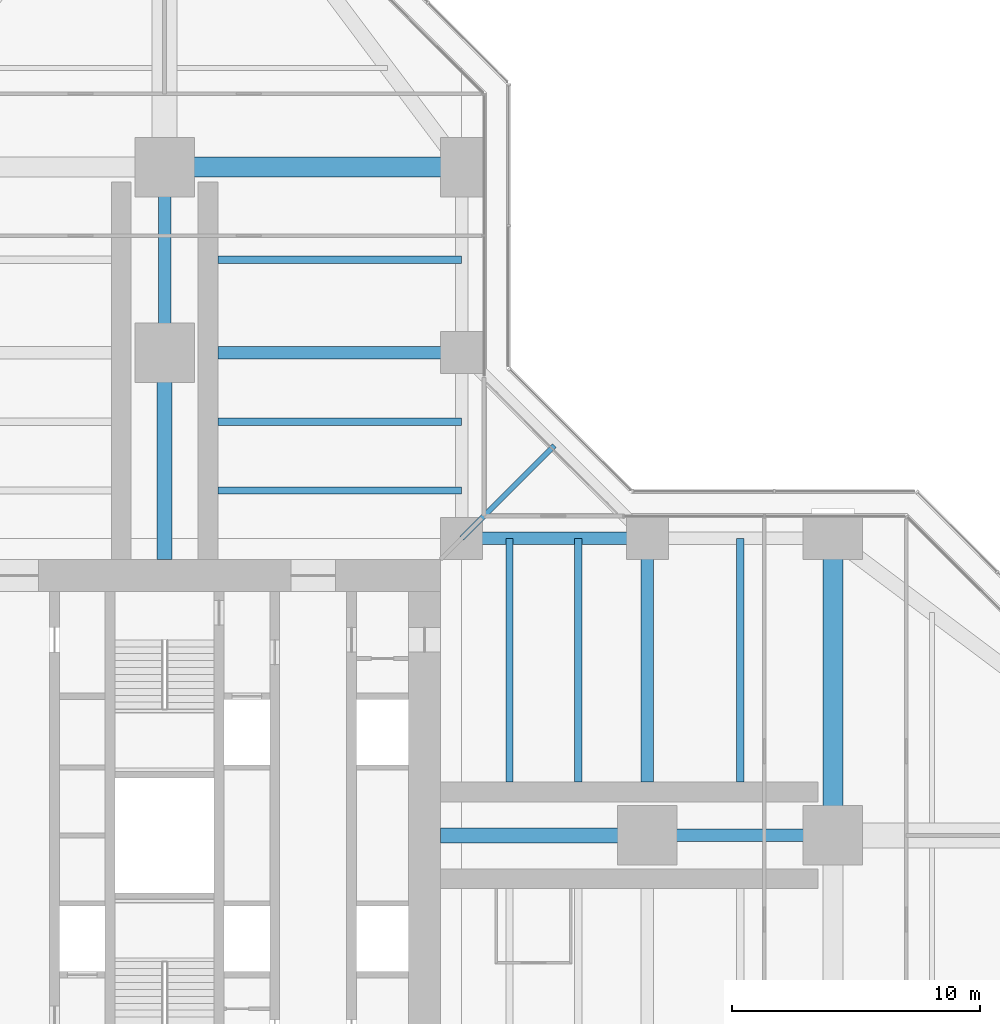
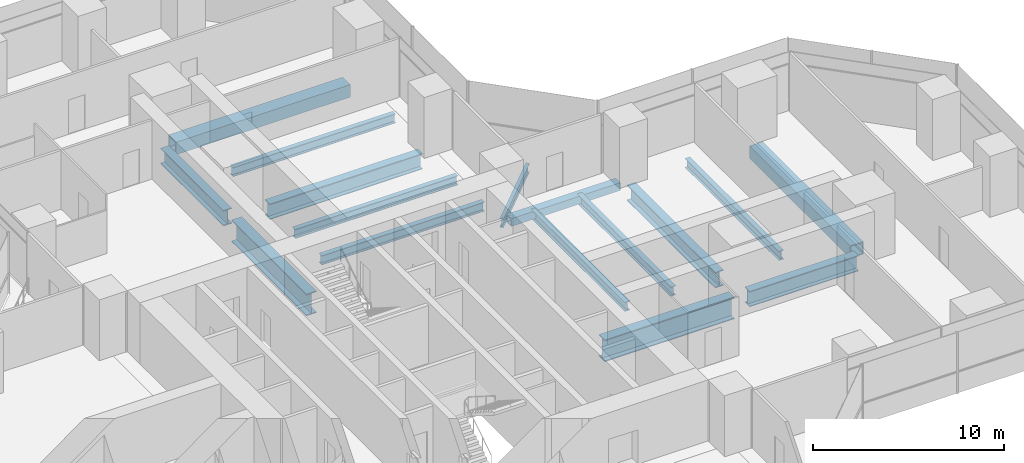
# One storey, part 10 of 22: 16 beams.
"""IFC4 building model written with IfcOpenShell, lengths in metres."""

from ifc_helpers import new_model, si_unit, direction, frame, origin, origin_2d, place, context, subcontext, project, spatial, hollow_rectangle, i_section, extrude, material, material_profile, profile_set, type_object, element, save


model = new_model("IFC4")

# Units and contexts
model_context = context("Model", 3, precision=1e-05, world=origin(), true_north=direction((0.0, 1.0)))
body_context = subcontext(model_context, "Body", "Model", "MODEL_VIEW")
ifc_project = project(units=[si_unit("LENGTHUNIT", "METRE"), si_unit("AREAUNIT", "SQUARE_METRE"), si_unit("VOLUMEUNIT", "CUBIC_METRE"), si_unit("PLANEANGLEUNIT", "RADIAN"), si_unit("MASSUNIT", "GRAM", prefix="KILO")], contexts=[model_context])

# Site, building, storey
site_placement = place(None, origin())
site = spatial("IfcSite", under=ifc_project, at=site_placement, CompositionType="ELEMENT")
building_placement = place(site_placement, origin())
building = spatial("IfcBuilding", under=site, at=building_placement, Name="Mizan Broadcast Tower", CompositionType="ELEMENT")
storey_placement = place(building_placement, frame((0.0, 0.0, 109.800048828125)))
storey = spatial("IfcBuildingStorey", under=building, at=storey_placement, Name="L24", CompositionType="ELEMENT", Elevation=109.800048828125)

# Beams
ifc_material_1 = material(Name="Steel S355", Category="steel")
ifc_material_profile_1 = material_profile(ifc_material_1, hollow_rectangle(XDim=0.5, YDim=0.5, WallThickness=0.030029296875, at=origin_2d()), Name="BOX 500x500x30")
ifc_profile_set_1 = profile_set([ifc_material_profile_1], Name="Steel S355")
beam_type_1 = type_object("IfcBeamType", Name="EDGE BEAM BOX 500x500x30", PredefinedType="SPANDREL", material=ifc_profile_set_1)
beam_1_placement = place(storey_placement, frame((12.449951171875, 12.0, -0.380126953125), z_axis=(1.0, 0.0, 0.0), x_axis=(0.0, 1.0, 0.0)))
element("IfcBeam", 1, at=beam_1_placement, inside=storey, type_object=beam_type_1, Name="Edge beam BOX 500x500x30 L24 east arm", PredefinedType="SPANDREL", context=body_context, shape_type="SweptSolid", body=[
    extrude(hollow_rectangle(XDim=0.5, YDim=0.5, WallThickness=0.030029296875, at=origin_2d()), origin(), (0.0, 0.0, 1.0), 6.60009765625),
])
ifc_material_2 = material(Name="Steel S460", Category="steel")
ifc_material_profile_2 = material_profile(ifc_material_2, hollow_rectangle(XDim=0.800048828125, YDim=0.800048828125, WallThickness=0.050048828125, at=origin_2d()), Name="BOX 800x800x50")
ifc_profile_set_2 = profile_set([ifc_material_profile_2], Name="Steel S460")
beam_type_2 = type_object("IfcBeamType", Name="GIRDER BOX 800x800x50", PredefinedType="BEAM", material=ifc_profile_set_2)
for number, where, z_axis, x_axis, name in (
    (2, (27.0, 11.280029296875, -0.530029296875), (0.0, -1.0, 0.0), (1.0, 0.0, 0.0), "Girder BOX 800x800x50 L24 east arm"),
    (3, (11.280029296875, 27.0, -0.530029296875), (-1.0, 0.0, 0.0), (0.0, -1.0, 0.0), "Girder BOX 800x800x50 L24 north arm"),
):
    element("IfcBeam", number, at=place(storey_placement, frame(where, z_axis=z_axis, x_axis=x_axis)), inside=storey, type_object=beam_type_2, Name=name, PredefinedType="BEAM", context=body_context, shape_type="SweptSolid", body=[
        extrude(hollow_rectangle(XDim=0.800048828125, YDim=0.800048828125, WallThickness=0.050048828125, at=origin_2d()), origin(), (0.0, 0.0, 1.0), 10.56005859375),
    ])
ifc_material_3 = material(Name="Steel S460", Category="steel")
ifc_material_profile_3 = material_profile(ifc_material_3, i_section(OverallWidth=0.5, OverallDepth=1.0, WebThickness=0.02490234375, FlangeThickness=0.050048828125, at=origin_2d()), Name="WPG 1000x500")
ifc_profile_set_3 = profile_set([ifc_material_profile_3], Name="Steel S460")
beam_type_3 = type_object("IfcBeamType", Name="GIRDER WPG 1000x500", PredefinedType="BEAM", material=ifc_profile_set_3)
beam_2_placement = place(storey_placement, frame((19.949951171875, 0.0, -0.630126953125), z_axis=(1.0, 0.0, 0.0), x_axis=(0.0, 1.0, 0.0)))
element("IfcBeam", 4, at=beam_2_placement, inside=storey, type_object=beam_type_3, Name="Girder WPG 1000x500 L24 east arm", PredefinedType="BEAM", context=body_context, shape_type="SweptSolid", body=[
    extrude(i_section(OverallWidth=0.5, OverallDepth=1.0, WebThickness=0.02490234375, FlangeThickness=0.050048828125, at=origin_2d()), origin(), (0.0, 0.0, 1.0), 6.60009765625),
])
beam_3_placement = place(storey_placement, frame((19.5, 11.408935546875, -0.630126953125), z_axis=(0.0, -1.0, 0.0), x_axis=(1.0, 0.0, 0.0)))
element("IfcBeam", 5, at=beam_3_placement, inside=storey, type_object=beam_type_3, Name="Girder WPG 1000x500 L24 east arm", PredefinedType="BEAM", context=body_context, shape_type="SweptSolid", body=[
    extrude(i_section(OverallWidth=0.5, OverallDepth=1.0, WebThickness=0.02490234375, FlangeThickness=0.050048828125, at=origin_2d()), origin(), (0.0, 0.0, 1.0), 9.259033203125),
])
beam_4_placement = place(storey_placement, frame((0.0, 19.949951171875, -0.630126953125), z_axis=(0.0, 1.0, 0.0), x_axis=(-1.0, 0.0, 0.0)))
element("IfcBeam", 6, at=beam_4_placement, inside=storey, type_object=beam_type_3, Name="Girder WPG 1000x500 L24 north arm", PredefinedType="BEAM", context=body_context, shape_type="SweptSolid", body=[
    extrude(i_section(OverallWidth=0.5, OverallDepth=1.0, WebThickness=0.02490234375, FlangeThickness=0.050048828125, at=origin_2d()), origin(), (0.0, 0.0, 1.0), 6.60009765625),
])
beam_5_placement = place(storey_placement, frame((11.408935546875, 19.5, -0.630126953125), z_axis=(-1.0, 0.0, 0.0), x_axis=(0.0, -1.0, 0.0)))
element("IfcBeam", 7, at=beam_5_placement, inside=storey, type_object=beam_type_3, Name="Girder WPG 1000x500 L24 north arm", PredefinedType="BEAM", context=body_context, shape_type="SweptSolid", body=[
    extrude(i_section(OverallWidth=0.5, OverallDepth=1.0, WebThickness=0.02490234375, FlangeThickness=0.050048828125, at=origin_2d()), origin(), (0.0, 0.0, 1.0), 9.259033203125),
])
ifc_material_4 = material(Name="Steel S460", Category="steel")
ifc_material_profile_4 = material_profile(ifc_material_4, i_section(OverallWidth=0.60009765625, OverallDepth=1.39990234375, WebThickness=0.02490234375, FlangeThickness=0.06005859375, at=origin_2d()), Name="WPG 1400x600")
ifc_profile_set_4 = profile_set([ifc_material_profile_4], Name="Steel S460")
beam_type_4 = type_object("IfcBeamType", Name="GIRDER WPG 1400x600", PredefinedType="BEAM", material=ifc_profile_set_4)
for number, where, z_axis, x_axis, name in (
    (8, (11.14990234375, 0.0, -0.830078125), (1.0, 0.0, 0.0), (0.0, 1.0, 0.0), "Girder WPG 1400x600 L24 east arm"),
    (9, (0.0, 11.14990234375, -0.830078125), (0.0, 1.0, 0.0), (-1.0, 0.0, 0.0), "Girder WPG 1400x600 L24 north arm"),
):
    element("IfcBeam", number, at=place(storey_placement, frame(where, z_axis=z_axis, x_axis=x_axis)), inside=storey, type_object=beam_type_4, Name=name, PredefinedType="BEAM", context=body_context, shape_type="SweptSolid", body=[
        extrude(i_section(OverallWidth=0.60009765625, OverallDepth=1.39990234375, WebThickness=0.02490234375, FlangeThickness=0.06005859375, at=origin_2d()), origin(), (0.0, 0.0, 1.0), 7.84912109375),
    ])
ifc_material_5 = material(Name="Steel S355", Category="steel")
ifc_material_profile_5 = material_profile(ifc_material_5, i_section(OverallWidth=0.300048828125, OverallDepth=0.590087890625, WebThickness=0.012939453125, FlangeThickness=0.02490234375, FilletRadius=0.027099609375, at=origin_2d()), Name="HEA 600")
ifc_profile_set_5 = profile_set([ifc_material_profile_5], Name="Steel S355")
beam_type_5 = type_object("IfcBeamType", Name="SECONDARY BEAM HEA 600", PredefinedType="JOIST", material=ifc_profile_set_5)
for number, where, z_axis, x_axis, name in (
    (10, (13.933349609375, 12.0, -0.425048828125), (0.0, -1.0, 0.0), (1.0, 0.0, 0.0), "Secondary beam HEA 600 L24 east arm"),
    (11, (16.716552734375, 12.0, -0.425048828125), (0.0, -1.0, 0.0), (1.0, 0.0, 0.0), "Secondary beam HEA 600 L24 east arm"),
    (12, (23.25, 12.0, -0.425048828125), (0.0, -1.0, 0.0), (1.0, 0.0, 0.0), "Secondary beam HEA 600 L24 east arm"),
    (13, (12.0, 13.933349609375, -0.425048828125), (-1.0, 0.0, 0.0), (0.0, -1.0, 0.0), "Secondary beam HEA 600 L24 north arm"),
    (14, (12.0, 16.716552734375, -0.425048828125), (-1.0, 0.0, 0.0), (0.0, -1.0, 0.0), "Secondary beam HEA 600 L24 north arm"),
    (15, (12.0, 23.25, -0.425048828125), (-1.0, 0.0, 0.0), (0.0, -1.0, 0.0), "Secondary beam HEA 600 L24 north arm"),
):
    element("IfcBeam", number, at=place(storey_placement, frame(where, z_axis=z_axis, x_axis=x_axis)), inside=storey, type_object=beam_type_5, Name=name, PredefinedType="JOIST", context=body_context, shape_type="SweptSolid", body=[
        extrude(i_section(OverallWidth=0.300048828125, OverallDepth=0.590087890625, WebThickness=0.012939453125, FlangeThickness=0.02490234375, FilletRadius=0.027099609375, at=origin_2d()), origin(), (0.0, 0.0, 1.0), 9.85009765625),
    ])
ifc_material_6 = material(Name="Steel S355", Category="steel")
ifc_material_profile_6 = material_profile(ifc_material_6, i_section(OverallWidth=0.2099609375, OverallDepth=0.550048828125, WebThickness=0.010986328125, FlangeThickness=0.01708984375, FilletRadius=0.02392578125, at=origin_2d()), Name="IPE 550")
ifc_profile_set_6 = profile_set([ifc_material_profile_6], Name="Steel S355")
beam_type_6 = type_object("IfcBeamType", Name="SECONDARY BEAM IPE 550", PredefinedType="JOIST", material=ifc_profile_set_6)
beam_6_placement = place(storey_placement, frame((12.0, 12.0, -0.405029296875), z_axis=(0.707106781187, 0.707106781187, 0.0), x_axis=(-0.707106781187, 0.707106781187, 0.0)))
element("IfcBeam", 16, at=beam_6_placement, inside=storey, type_object=beam_type_6, Name="Winter garden beam L24 E", PredefinedType="JOIST", context=body_context, shape_type="SweptSolid", body=[
    extrude(i_section(OverallWidth=0.2099609375, OverallDepth=0.550048828125, WebThickness=0.010986328125, FlangeThickness=0.01708984375, FilletRadius=0.02392578125, at=origin_2d()), origin(), (0.0, 0.0, 1.0), 5.30322265625),
])

save(model, "model.ifc")
